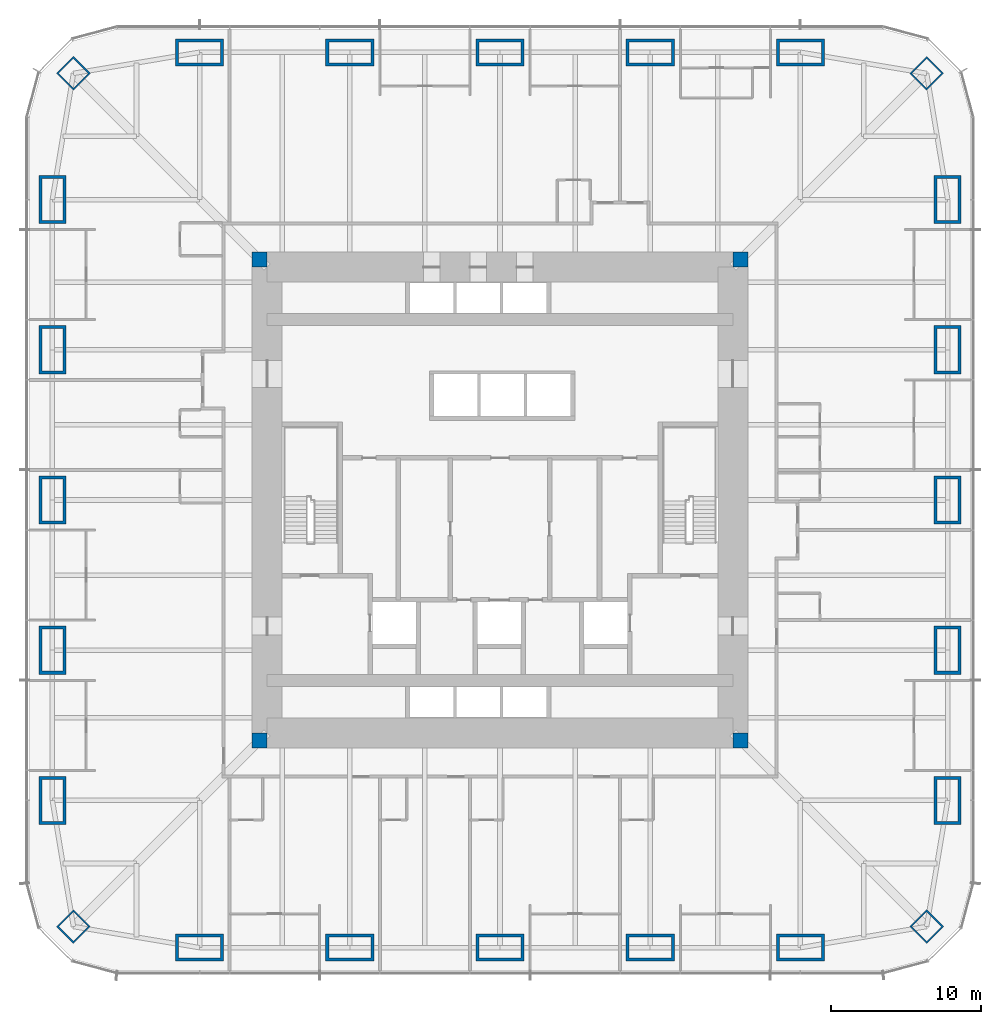
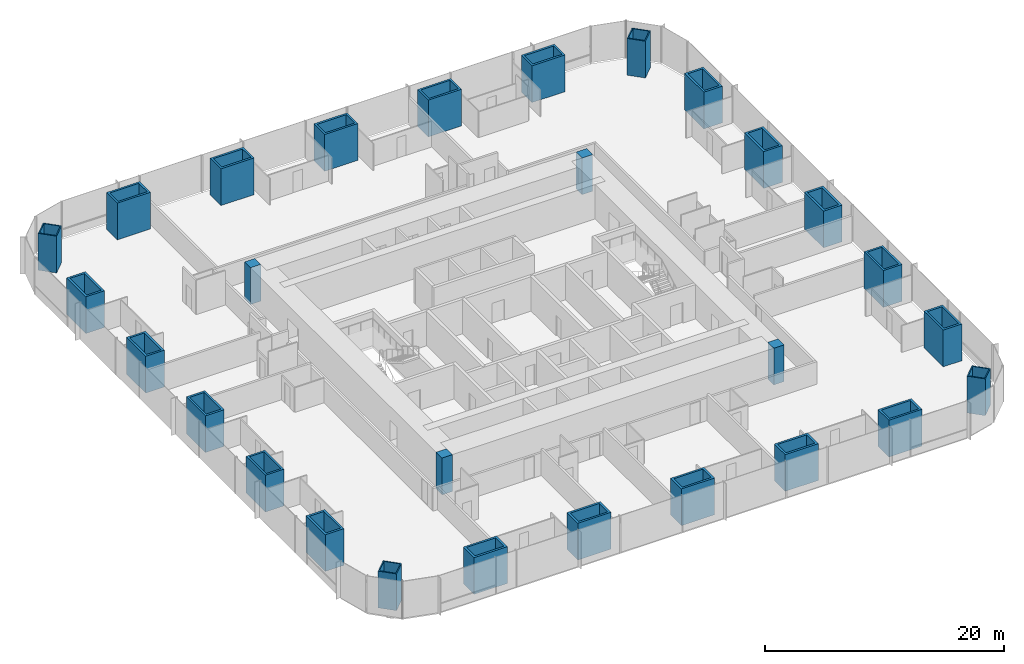
# One storey, part 1 of 16: 28 columns.
"""IFC4 building model written with IfcOpenShell, lengths in metres."""

from ifc_helpers import new_model, si_unit, direction, frame, origin, origin_2d, place, context, subcontext, project, spatial, rectangle, hollow_rectangle, extrude, material, material_profile, profile_set, type_object, element, save


model = new_model("IFC4")

# Units and contexts
model_context = context("Model", 3, precision=1e-05, world=origin(), true_north=direction((0.0, 1.0)))
body_context = subcontext(model_context, "Body", "Model", "MODEL_VIEW")
ifc_project = project(units=[si_unit("LENGTHUNIT", "METRE"), si_unit("AREAUNIT", "SQUARE_METRE"), si_unit("VOLUMEUNIT", "CUBIC_METRE"), si_unit("PLANEANGLEUNIT", "RADIAN"), si_unit("MASSUNIT", "GRAM", prefix="KILO")], contexts=[model_context])

# Site, building, storey
site_placement = place(None, origin())
site = spatial("IfcSite", under=ifc_project, at=site_placement, CompositionType="ELEMENT")
building_placement = place(site_placement, origin())
building = spatial("IfcBuilding", under=site, at=building_placement, Name="Khuree Lantern Residences", CompositionType="ELEMENT")
storey_placement = place(building_placement, frame((0.0, 0.0, 62.25)))
storey = spatial("IfcBuildingStorey", under=building, at=storey_placement, Name="L15", CompositionType="ELEMENT", Elevation=62.25)

# Columns
ifc_material_1 = material(Name="Steel S355 CFT welded box", Category="steel")
ifc_material_profile_1 = material_profile(ifc_material_1, hollow_rectangle(XDim=1.60009765625, YDim=1.60009765625, WallThickness=0.10009765625, at=origin_2d()), Name="WELDED BOX 1600X1600X100")
ifc_profile_set_1 = profile_set([ifc_material_profile_1], Name="Steel S355 CFT welded box")
column_type_1 = type_object("IfcColumnType", Name="CC1600 PERIMETER CORNER MEGA COLUMN WELDED BOX 1600X1600X100", PredefinedType="COLUMN", material=ifc_profile_set_1)
for number, where, z_axis, x_axis, name in (
    (1, (28.39404296875, 28.39404296875, 0.0), (0.0, 0.0, 1.0), (0.707106781187, -0.707106781187, 0.0), "Perimeter column NE"),
    (2, (28.39404296875, -28.39404296875, 0.0), (0.0, 0.0, 1.0), (0.707106781187, 0.707106781187, 0.0), "Perimeter column SE"),
    (3, (-28.39404296875, -28.39404296875, 0.0), (0.0, 0.0, 1.0), (0.707106781187, -0.707106781187, 0.0), "Perimeter column SW"),
    (4, (-28.39404296875, 28.39404296875, 0.0), (0.0, 0.0, 1.0), (0.707106781187, 0.707106781187, 0.0), "Perimeter column NW"),
):
    element("IfcColumn", number, at=place(storey_placement, frame(where, z_axis=z_axis, x_axis=x_axis)), inside=storey, type_object=column_type_1, Name=name, PredefinedType="COLUMN", context=body_context, shape_type="SweptSolid", body=[
        extrude(hollow_rectangle(XDim=1.60009765625, YDim=1.60009765625, WallThickness=0.10009765625, at=origin_2d()), origin(), (0.0, 0.0, 1.0), 3.75),
    ])
ifc_material_2 = material(Name="Concrete C70/85", Category="concrete")
ifc_material_profile_2 = material_profile(ifc_material_2, rectangle(XDim=1.0, YDim=1.0, at=origin_2d()), Name="RC 1000X1000")
ifc_profile_set_2 = profile_set([ifc_material_profile_2], Name="Concrete C70/85")
column_type_2 = type_object("IfcColumnType", Name="CP1000-C70 CORE CORNER PIER C70 RC 1000X1000", PredefinedType="COLUMN", material=ifc_profile_set_2)
for number, where, z_axis, x_axis, name in (
    (5, (16.0, 16.0, -0.25), (0.0, 0.0, 1.0), (1.0, 0.0, 0.0), "Core corner pier NE"),
    (6, (-16.0, 16.0, -0.25), (0.0, 0.0, 1.0), (1.0, 0.0, 0.0), "Core corner pier NW"),
    (7, (-16.0, -16.0, -0.25), (0.0, 0.0, 1.0), (1.0, 0.0, 0.0), "Core corner pier SW"),
    (8, (16.0, -16.0, -0.25), (0.0, 0.0, 1.0), (1.0, 0.0, 0.0), "Core corner pier SE"),
):
    element("IfcColumn", number, at=place(storey_placement, frame(where, z_axis=z_axis, x_axis=x_axis)), inside=storey, type_object=column_type_2, Name=name, PredefinedType="COLUMN", context=body_context, shape_type="SweptSolid", body=[
        extrude(rectangle(XDim=1.0, YDim=1.0, at=origin_2d()), origin(), (0.0, 0.0, 1.0), 3.75),
    ])
ifc_material_profile_3 = material_profile(ifc_material_1, hollow_rectangle(XDim=3.199951171875, YDim=1.800048828125, WallThickness=0.199951171875, at=origin_2d()), Name="WELDED BOX 3200X1800X200")
ifc_profile_set_3 = profile_set([ifc_material_profile_3], Name="Steel S355 CFT welded box")
column_type_3 = type_object("IfcColumnType", Name="SC1 PERIMETER MEGA COLUMN WELDED BOX 3200X1800X200", PredefinedType="COLUMN", material=ifc_profile_set_3)
for number, where, z_axis, x_axis, name in (
    (9, (-20.0, 29.800048828125, 0.0), (0.0, 0.0, 1.0), (1.0, 0.0, 0.0), "Perimeter column N1"),
    (10, (-10.0, 29.800048828125, 0.0), (0.0, 0.0, 1.0), (1.0, 0.0, 0.0), "Perimeter column N2"),
    (11, (0.0, 29.800048828125, 0.0), (0.0, 0.0, 1.0), (1.0, 0.0, 0.0), "Perimeter column N3"),
    (12, (10.0, 29.800048828125, 0.0), (0.0, 0.0, 1.0), (1.0, 0.0, 0.0), "Perimeter column N4"),
    (13, (20.0, 29.800048828125, 0.0), (0.0, 0.0, 1.0), (1.0, 0.0, 0.0), "Perimeter column N5"),
    (14, (29.800048828125, 20.0, 0.0), (0.0, 0.0, 1.0), (0.0, 1.0, 0.0), "Perimeter column E1"),
    (15, (29.800048828125, 10.0, 0.0), (0.0, 0.0, 1.0), (0.0, 1.0, 0.0), "Perimeter column E2"),
    (16, (29.800048828125, 0.0, 0.0), (0.0, 0.0, 1.0), (0.0, 1.0, 0.0), "Perimeter column E3"),
    (17, (29.800048828125, -10.0, 0.0), (0.0, 0.0, 1.0), (0.0, 1.0, 0.0), "Perimeter column E4"),
    (18, (29.800048828125, -20.0, 0.0), (0.0, 0.0, 1.0), (0.0, 1.0, 0.0), "Perimeter column E5"),
    (19, (20.0, -29.800048828125, 0.0), (0.0, 0.0, 1.0), (1.0, 0.0, 0.0), "Perimeter column S1"),
    (20, (10.0, -29.800048828125, 0.0), (0.0, 0.0, 1.0), (1.0, 0.0, 0.0), "Perimeter column S2"),
    (21, (0.0, -29.800048828125, 0.0), (0.0, 0.0, 1.0), (1.0, 0.0, 0.0), "Perimeter column S3"),
    (22, (-10.0, -29.800048828125, 0.0), (0.0, 0.0, 1.0), (1.0, 0.0, 0.0), "Perimeter column S4"),
    (23, (-20.0, -29.800048828125, 0.0), (0.0, 0.0, 1.0), (1.0, 0.0, 0.0), "Perimeter column S5"),
    (24, (-29.800048828125, -20.0, 0.0), (0.0, 0.0, 1.0), (0.0, 1.0, 0.0), "Perimeter column W1"),
    (25, (-29.800048828125, -10.0, 0.0), (0.0, 0.0, 1.0), (0.0, 1.0, 0.0), "Perimeter column W2"),
    (26, (-29.800048828125, 0.0, 0.0), (0.0, 0.0, 1.0), (0.0, 1.0, 0.0), "Perimeter column W3"),
    (27, (-29.800048828125, 10.0, 0.0), (0.0, 0.0, 1.0), (0.0, 1.0, 0.0), "Perimeter column W4"),
    (28, (-29.800048828125, 20.0, 0.0), (0.0, 0.0, 1.0), (0.0, 1.0, 0.0), "Perimeter column W5"),
):
    element("IfcColumn", number, at=place(storey_placement, frame(where, z_axis=z_axis, x_axis=x_axis)), inside=storey, type_object=column_type_3, Name=name, PredefinedType="COLUMN", context=body_context, shape_type="SweptSolid", body=[
        extrude(hollow_rectangle(XDim=3.199951171875, YDim=1.800048828125, WallThickness=0.199951171875, at=origin_2d()), origin(), (0.0, 0.0, 1.0), 3.75),
    ])

save(model, "model.ifc")
